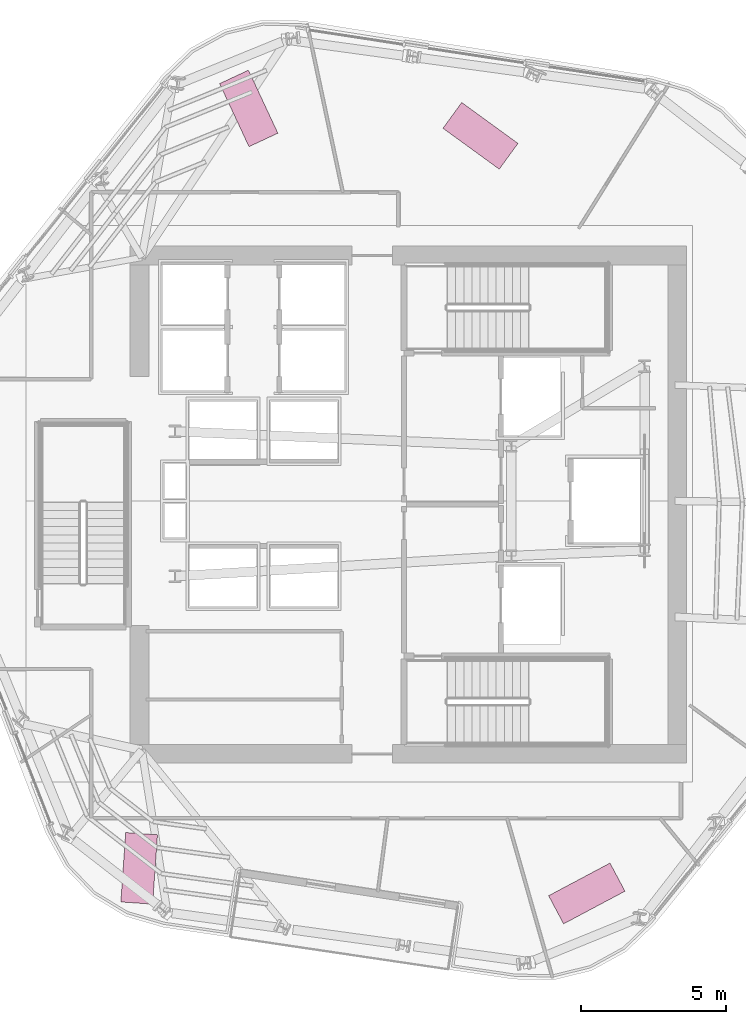
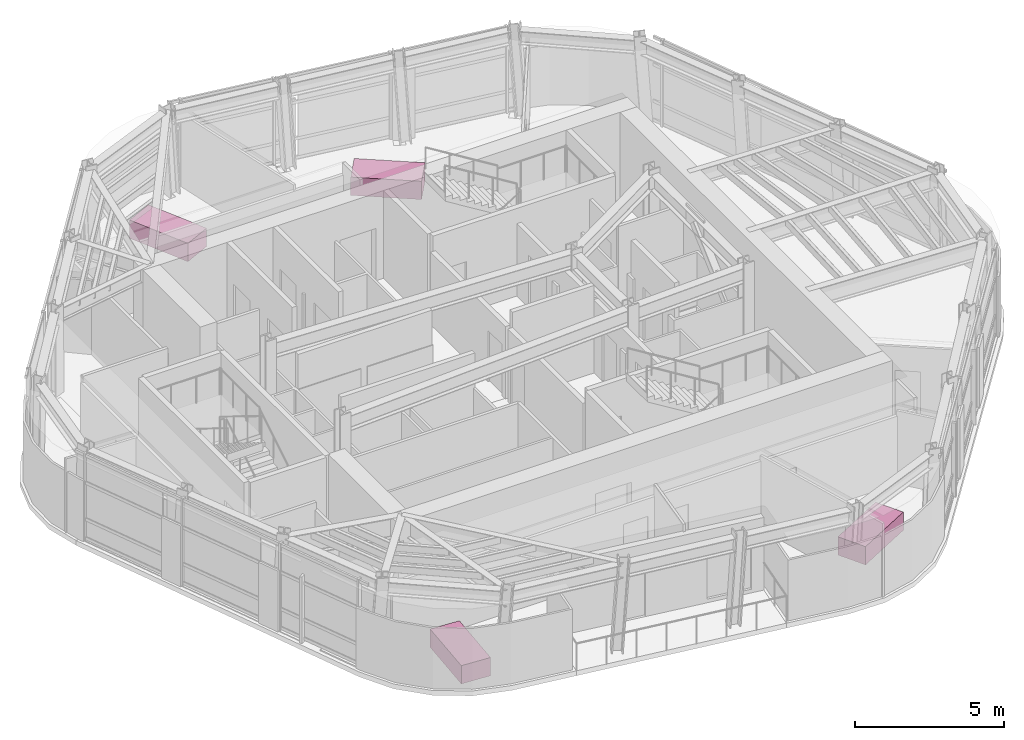
# One storey, part 12 of 12: 4 furniture elements.
"""IFC4 building model written with IfcOpenShell, lengths in metres."""

from ifc_helpers import new_model, si_unit, direction, frame, origin, origin_2d, place, context, subcontext, project, spatial, rectangle, extrude, material, type_object, element, save


model = new_model("IFC4")

# Units and contexts
model_context = context("Model", 3, precision=1e-05, world=origin(), true_north=direction((0.0, 1.0)))
body_context = subcontext(model_context, "Body", "Model", "MODEL_VIEW")
ifc_project = project(units=[si_unit("LENGTHUNIT", "METRE"), si_unit("AREAUNIT", "SQUARE_METRE"), si_unit("VOLUMEUNIT", "CUBIC_METRE"), si_unit("PLANEANGLEUNIT", "RADIAN"), si_unit("MASSUNIT", "GRAM", prefix="KILO")], contexts=[model_context])

# Site, building, storey
site_placement = place(None, origin())
site = spatial("IfcSite", under=ifc_project, at=site_placement, CompositionType="ELEMENT")
building_placement = place(site_placement, origin())
building = spatial("IfcBuilding", under=site, at=building_placement, Name="Valkerne Bourse Tower", CompositionType="ELEMENT")
storey_placement = place(building_placement, frame((0.0, 0.0, 243.60009765625)))
storey = spatial("IfcBuildingStorey", under=building, at=storey_placement, Name="L62", CompositionType="ELEMENT", Elevation=243.60009765625)

# Furniture
ifc_material = material(Name="Architectural White Oak Timber", Category="wood")
furniture_type = type_object("IfcFurnitureType", Name="FURN-DESK-2400", AssemblyPlace="NOTDEFINED", PredefinedType="DESK", material=ifc_material)
for number, where, z_axis, x_axis, name in (
    (1, (52.9560546875, 13.455078125, 0.044921875), (0.0, 0.0, 1.0), (0.882947592859, 0.469471562786, 0.0), "L62 Suite Worktable 06"),
    (2, (37.509033203125, 14.321044921875, 0.044921875), (0.0, 0.0, 1.0), (0.069756473744, 0.99756405026, 0.0), "L62 Suite Worktable 08"),
    (3, (41.2900390625, 40.544921875, 0.044921875), (0.0, 0.0, 1.0), (-0.422618261741, 0.906307787037, 0.0), "L62 Suite Worktable 09"),
    (4, (49.287109375, 39.59912109375, 0.044921875), (0.0, 0.0, 1.0), (-0.809016994375, 0.587785252292, 0.0), "L62 Suite Worktable 10"),
):
    element("IfcFurniture", number, at=place(storey_placement, frame(where, z_axis=z_axis, x_axis=x_axis)), inside=storey, type_object=furniture_type, Name=name, PredefinedType="DESK", context=body_context, shape_type="SweptSolid", body=[
        extrude(rectangle(XDim=2.39990234375, YDim=1.10009765625, at=origin_2d()), origin(), (0.0, 0.0, 1.0), 0.75),
    ])

save(model, "model.ifc")
